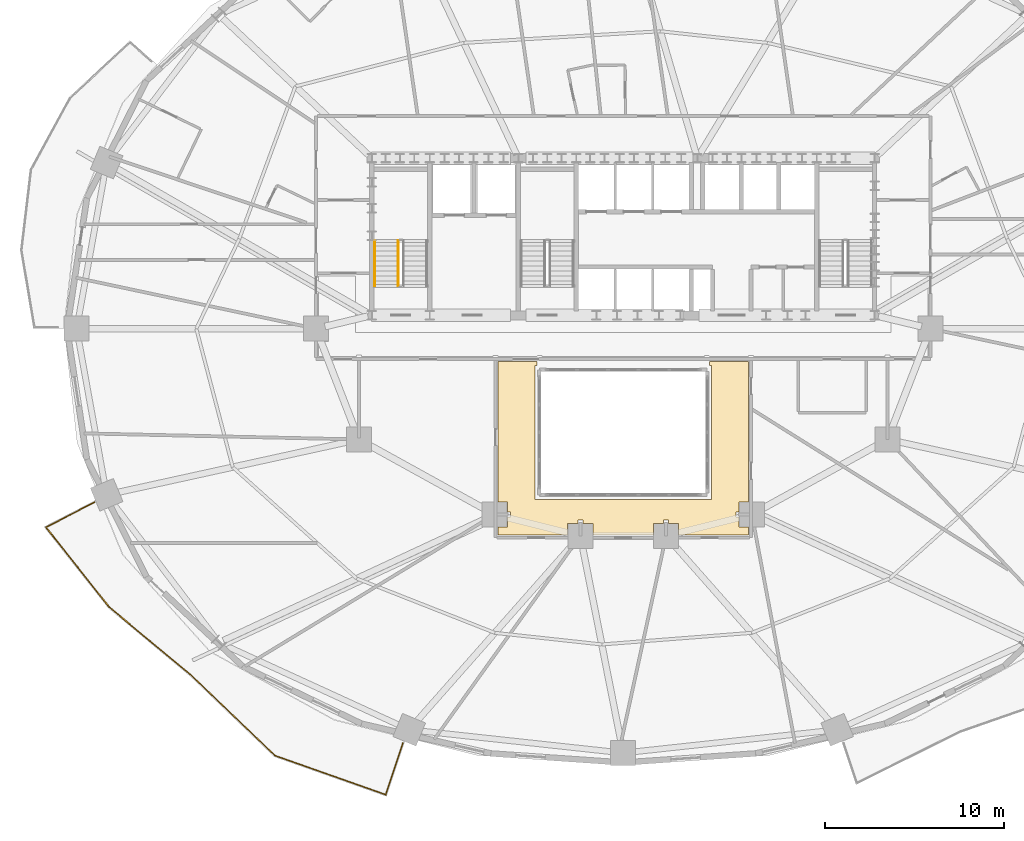
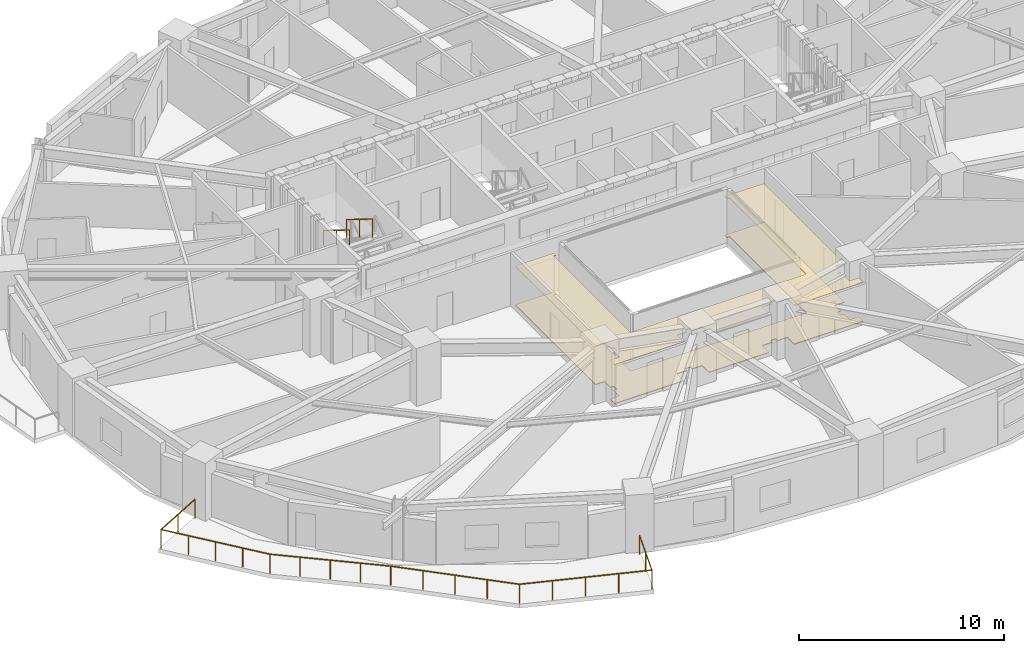
# One storey, part 14 of 17: 3 railings, 2 coverings.
"""IFC4 building model written with IfcOpenShell, lengths in metres."""

import ifcopenshell
import ifcopenshell.guid

model = None  # the IFC model being written
_history = None  # IfcOwnerHistory: only IFC2X3 demands one
_inside = {}  # id of a spatial element -> (the spatial element, [elements in it])
_under = {}  # id of a project, library or spatial element -> (it, [spatial elements below it])
_declared = {}  # id of a project -> (the project, [libraries it declares])
_typed = {}  # id of a type object -> (the type object, [elements of that type])
_made_of = {}  # id of a material, layer set ... -> (it, [elements and type objects made of it])


def new_model(schema):
    """Start an empty IFC model of exactly this schema.

    Asked for "IFC4X3", IfcOpenShell would pick the latest addendum, in which some entities
    have other attributes; the version numbers below select the first issue.
    IFC2X3 requires an IfcOwnerHistory on every rooted entity: one is made here for all.
    """
    global model, _history
    if schema == "IFC4X3":
        model = ifcopenshell.file(schema_version=(4, 3, 0, 0))
    else:
        model = ifcopenshell.file(schema=schema)
    _inside.clear()
    _under.clear()
    _declared.clear()
    _typed.clear()
    _made_of.clear()
    _history = None
    if model.schema == "IFC2X3":
        org = make("IfcOrganization", Name="unknown")
        user = make(
            "IfcPersonAndOrganization",
            ThePerson=make("IfcPerson", FamilyName="unknown"),
            TheOrganization=org,
        )
        app = make(
            "IfcApplication",
            ApplicationDeveloper=org,
            Version="unknown",
            ApplicationFullName="unknown",
            ApplicationIdentifier="unknown",
        )
        _history = make(
            "IfcOwnerHistory",
            OwningUser=user,
            OwningApplication=app,
            ChangeAction="ADDED",
            CreationDate=0,
        )
    return model


def make(cls, **values):
    """One entity of the class cls with the attributes given. An attribute that is None is left unset."""
    return model.create_entity(
        cls, **{name: value for name, value in values.items() if value is not None}
    )


def rooted(cls, **values):
    """An entity with a GlobalId (a new one), such as an element, a storey or a relation."""
    return make(cls, GlobalId=ifcopenshell.guid.new(), OwnerHistory=_history, **values)


def si_unit(unit_type, name, prefix=None):
    """IfcSIUnit, for example si_unit("LENGTHUNIT", "METRE", prefix="MILLI")."""
    return make("IfcSIUnit", UnitType=unit_type, Prefix=prefix, Name=name)


def assignment(units):
    """IfcUnitAssignment: the units of a project."""
    return None if units is None else make("IfcUnitAssignment", Units=units)


def point(xyz):
    """IfcCartesianPoint."""
    return None if xyz is None else make("IfcCartesianPoint", Coordinates=xyz)


def direction(xyz):
    """IfcDirection."""
    return None if xyz is None else make("IfcDirection", DirectionRatios=xyz)


def frame(location, z_axis=None, x_axis=None):
    """IfcAxis2Placement3D, a coordinate frame: its origin and axes. An axis left out is left unset."""
    return make(
        "IfcAxis2Placement3D",
        Location=point(location),
        Axis=direction(z_axis),
        RefDirection=direction(x_axis),
    )


def frame_2d(location, x_axis=None):
    """IfcAxis2Placement2D, a coordinate frame in the plane: its origin and x axis."""
    return make(
        "IfcAxis2Placement2D", Location=point(location), RefDirection=direction(x_axis)
    )


def origin():
    """The frame at (0, 0, 0) with its axes left unset."""
    return frame((0.0, 0.0, 0.0))


def origin_2d():
    """The frame at (0, 0) in the plane with its x axis left unset."""
    return frame_2d((0.0, 0.0))


def place(relative_to, where):
    """IfcLocalPlacement: puts the frame where relative to a parent placement (None: the world)."""
    return make(
        "IfcLocalPlacement", PlacementRelTo=relative_to, RelativePlacement=where
    )


def context(
    kind, dimensions, precision=None, world=None, true_north=None, identifier=None
):
    """IfcGeometricRepresentationContext, for example the 3D "Model" context."""
    return make(
        "IfcGeometricRepresentationContext",
        ContextIdentifier=identifier,
        ContextType=kind,
        CoordinateSpaceDimension=dimensions,
        Precision=precision,
        WorldCoordinateSystem=world,
        TrueNorth=true_north,
    )


def subcontext(parent, identifier, kind, view, scale=None):
    """IfcGeometricRepresentationSubContext, for example "Body" below "Model"."""
    return make(
        "IfcGeometricRepresentationSubContext",
        ContextIdentifier=identifier,
        ContextType=kind,
        ParentContext=parent,
        TargetScale=scale,
        TargetView=view,
    )


def project(units=None, contexts=None):
    """IfcProject with its units and contexts."""
    return rooted(
        "IfcProject",
        Name="project",
        RepresentationContexts=contexts,
        UnitsInContext=assignment(units),
    )


def spatial(cls, under=None, at=None, **own):
    """A site, building, storey or space (cls), placed at a placement, below another one or the project."""
    s = rooted(cls, ObjectPlacement=at, **own)
    if under is not None:
        _under.setdefault(under.id(), (under, []))[1].append(s)
    return s


def polyline(points):
    """IfcPolyline through the points."""
    return make("IfcPolyline", Points=[point(p) for p in points])


def profile(cls, at=None, kind="AREA", **sizes):
    """A parametric profile (cls). Its sizes go by their IFC names, for example OverallWidth=200.0."""
    return make(cls, ProfileType=kind, Position=at, **sizes)


def rectangle(**sizes):
    """IfcRectangleProfileDef."""
    return profile("IfcRectangleProfileDef", **sizes)


def outline(outer, holes=None, kind="AREA"):
    """IfcArbitraryClosedProfileDef: a profile drawn as a closed curve; with holes, ...WithVoids."""
    if holes is None:
        return make("IfcArbitraryClosedProfileDef", ProfileType=kind, OuterCurve=outer)
    return make(
        "IfcArbitraryProfileDefWithVoids",
        ProfileType=kind,
        OuterCurve=outer,
        InnerCurves=holes,
    )


def extrude(swept, where, along, depth):
    """IfcExtrudedAreaSolid: the profile swept, set in the frame where, extruded along a direction by depth."""
    return make(
        "IfcExtrudedAreaSolid",
        SweptArea=swept,
        Position=where,
        ExtrudedDirection=direction(along),
        Depth=depth,
    )


def shape(context_of_items, identifier, shape_type, items):
    """IfcShapeRepresentation: the items that make up one representation, for example the "Body"."""
    return make(
        "IfcShapeRepresentation",
        ContextOfItems=context_of_items,
        RepresentationIdentifier=identifier,
        RepresentationType=shape_type,
        Items=items,
    )


def material(Name=None, Category=None):
    """IfcMaterial."""
    return make("IfcMaterial", Name=Name, Category=Category)


def layer(
    of_material, thickness, ventilated=None, Name=None, Category=None, Priority=None
):
    """IfcMaterialLayer: one layer of a wall or slab, of a material (None: an air gap)."""
    return make(
        "IfcMaterialLayer",
        Material=of_material,
        LayerThickness=thickness,
        IsVentilated=ventilated,
        Name=Name,
        Category=Category,
        Priority=Priority,
    )


def layer_set(layers, Name=None):
    """IfcMaterialLayerSet."""
    return make("IfcMaterialLayerSet", MaterialLayers=layers, LayerSetName=Name)


def made_of(thing, what):
    """Note that an element or type object is made of a material, layer set ...; save() writes the relation."""
    if what is not None:
        _made_of.setdefault(what.id(), (what, []))[1].append(thing)
    return thing


def type_object(cls, material=None, **own):
    """A type object (cls), such as IfcWallType, which elements share."""
    return made_of(rooted(cls, **own), material)


def element(
    cls,
    number,
    at=None,
    inside=None,
    cuts=None,
    type_object=None,
    material=None,
    context=None,
    identifier="Body",
    shape_type=None,
    held_by="IfcProductDefinitionShape",
    body=None,
    shapes=None,
    **own,
):
    """One element of the class cls, such as IfcWall. Its Tag is "e" and its number.

    at: its placement. inside: the storey or other place that contains it. cuts: it is an
    opening in that element (IfcRelVoidsElement). A single representation is given by context,
    identifier, shape_type and body (its items); several are given by shapes. held_by: the class
    of the entity that holds the representations. save() writes the other relations.
    """
    e = rooted(cls, Tag="e%d" % number, ObjectPlacement=at, **own)
    if body is not None:
        shapes = [shape(context, identifier, shape_type, body)]
    if shapes is not None:
        e.Representation = make(held_by, Representations=shapes)
    if inside is not None:
        _inside.setdefault(inside.id(), (inside, []))[1].append(e)
    if cuts is not None:
        rooted(
            "IfcRelVoidsElement", RelatingBuildingElement=cuts, RelatedOpeningElement=e
        )
    if type_object is not None:
        _typed.setdefault(type_object.id(), (type_object, []))[1].append(e)
    return made_of(e, material)


def aggregate(whole, parts):
    """IfcRelAggregates: a whole, such as a stair, and the parts it consists of."""
    return rooted("IfcRelAggregates", RelatingObject=whole, RelatedObjects=parts)


def save(model, path):
    """Write the relations noted so far, then the file.

    IfcRelAggregates (storeys below a building ...), IfcRelContainedInSpatialStructure (elements
    in a storey), IfcRelDefinesByType, IfcRelAssociatesMaterial and IfcRelDeclares: one each for
    every whole, place, type object, material and project.
    """
    for whole, parts in _under.values():
        aggregate(whole, parts)
    for where, things in _inside.values():
        rooted(
            "IfcRelContainedInSpatialStructure",
            RelatedElements=things,
            RelatingStructure=where,
        )
    for kind, things in _typed.values():
        rooted("IfcRelDefinesByType", RelatedObjects=things, RelatingType=kind)
    for what, things in _made_of.values():
        rooted("IfcRelAssociatesMaterial", RelatedObjects=things, RelatingMaterial=what)
    for by, libraries in _declared.values():
        rooted("IfcRelDeclares", RelatingContext=by, RelatedDefinitions=libraries)
    model.write(path)


model = new_model("IFC4")

# Units and contexts
model_context = context("Model", 3, precision=1e-05, world=origin(), true_north=direction((0.0, 1.0)))
body_context = subcontext(model_context, "Body", "Model", "MODEL_VIEW")
ifc_project = project(units=[si_unit("LENGTHUNIT", "METRE"), si_unit("AREAUNIT", "SQUARE_METRE"), si_unit("VOLUMEUNIT", "CUBIC_METRE"), si_unit("PLANEANGLEUNIT", "RADIAN"), si_unit("MASSUNIT", "GRAM", prefix="KILO")], contexts=[model_context])

# Site, building, storey
site_placement = place(None, origin())
site = spatial("IfcSite", under=ifc_project, at=site_placement, CompositionType="ELEMENT")
building_placement = place(site_placement, origin())
building = spatial("IfcBuilding", under=site, at=building_placement, Name="Haldorwick Loom Tower", CompositionType="ELEMENT")
storey_placement = place(building_placement, frame((0.0, 0.0, 27.449951171875)))
storey = spatial("IfcBuildingStorey", under=building, at=storey_placement, Name="L06", CompositionType="ELEMENT", Elevation=27.449951171875)

# Coverings
ifc_material_1 = material(Name="Mineral Fibre Acoustic Ceiling Tile")
ifc_layer_1 = layer(ifc_material_1, 0.054931640625, Name="Mineral Fibre Acoustic Ceiling Tile")
ifc_layer_set_1 = layer_set([ifc_layer_1], Name="Mineral Fibre Acoustic Ceiling Tile")
covering_type_1 = type_object("IfcCoveringType", Name="ARC-COV-CEIL2", PredefinedType="CEILING", material=ifc_layer_set_1)
covering_1_placement = place(storey_placement, frame((0.0, 0.0, 2.302001953125)))
element("IfcCovering", 1, at=covering_1_placement, inside=storey, type_object=covering_type_1, Name="L06 Acoustic Suspended Ceiling 1", PredefinedType="CEILING", context=body_context, shape_type="SweptSolid", body=[
    extrude(outline(polyline([(37.69189453125, 14.44091796875), (37.69189453125, 15.10791015625), (38.260009765625, 15.10791015625), (38.260009765625, 15.27001953125), (38.260009765625, 15.27197265625), (38.260498046875, 15.27392578125), (38.260986328125, 15.27587890625), (38.261474609375, 15.277587890625), (38.262451171875, 15.279296875), (38.263427734375, 15.281005859375), (38.264404296875, 15.28271484375), (38.265869140625, 15.2841796875), (38.267333984375, 15.285400390625), (38.268798828125, 15.28662109375), (38.2705078125, 15.28759765625), (38.272216796875, 15.28857421875), (38.274169921875, 15.2890625), (38.276123046875, 15.28955078125), (38.278076171875, 15.289794921875), (38.280029296875, 15.2900390625), (38.52001953125, 15.2900390625), (38.52197265625, 15.289794921875), (38.52392578125, 15.28955078125), (38.52587890625, 15.2890625), (38.527587890625, 15.28857421875), (38.529296875, 15.28759765625), (38.531005859375, 15.28662109375), (38.53271484375, 15.285400390625), (38.5341796875, 15.2841796875), (38.535400390625, 15.28271484375), (38.53662109375, 15.281005859375), (38.53759765625, 15.279296875), (38.53857421875, 15.277587890625), (38.5390625, 15.27587890625), (38.53955078125, 15.27392578125), (38.539794921875, 15.27197265625), (38.5400390625, 15.27001953125), (38.5400390625, 15.10791015625), (39.10791015625, 15.10791015625), (39.10791015625, 14.43994140625), (43.010009765625, 14.43994140625), (43.010009765625, 14.89208984375), (42.491943359375, 14.89208984375), (42.491943359375, 15.4599609375), (42.330078125, 15.4599609375), (42.327880859375, 15.460205078125), (42.326171875, 15.46044921875), (42.32421875, 15.4609375), (42.322265625, 15.46142578125), (42.320556640625, 15.46240234375), (42.31884765625, 15.46337890625), (42.3173828125, 15.464599609375), (42.31591796875, 15.4658203125), (42.314453125, 15.46728515625), (42.3134765625, 15.468994140625), (42.3125, 15.470703125), (42.3115234375, 15.472412109375), (42.310791015625, 15.47412109375), (42.310302734375, 15.47607421875), (42.31005859375, 15.47802734375), (42.31005859375, 15.47998046875), (42.31005859375, 15.719970703125), (42.31005859375, 15.721923828125), (42.310302734375, 15.723876953125), (42.310791015625, 15.725830078125), (42.3115234375, 15.727783203125), (42.3125, 15.7294921875), (42.3134765625, 15.731201171875), (42.314453125, 15.732666015625), (42.31591796875, 15.734130859375), (42.3173828125, 15.735595703125), (42.31884765625, 15.736572265625), (42.320556640625, 15.737548828125), (42.322265625, 15.738525390625), (42.32421875, 15.739013671875), (42.326171875, 15.739501953125), (42.327880859375, 15.739990234375), (42.330078125, 15.739990234375), (42.491943359375, 15.739990234375), (42.491943359375, 16.30810546875), (43.010009765625, 16.30810546875), (43.010009765625, 24.159912109375), (40.820068359375, 24.159912109375), (40.820068359375, 23.949951171875), (40.949951171875, 23.949951171875), (40.949951171875, 16.449951171875), (31.050048828125, 16.449951171875), (31.050048828125, 23.949951171875), (31.179931640625, 23.949951171875), (31.179931640625, 24.159912109375), (28.989990234375, 24.159912109375), (28.989990234375, 16.30810546875), (29.508056640625, 16.30810546875), (29.508056640625, 15.739990234375), (29.669921875, 15.739990234375), (29.672119140625, 15.739990234375), (29.673828125, 15.739501953125), (29.67578125, 15.739013671875), (29.677734375, 15.738525390625), (29.679443359375, 15.737548828125), (29.68115234375, 15.736572265625), (29.6826171875, 15.735595703125), (29.68408203125, 15.734130859375), (29.685546875, 15.732666015625), (29.6865234375, 15.731201171875), (29.6875, 15.7294921875), (29.6884765625, 15.727783203125), (29.689208984375, 15.725830078125), (29.689697265625, 15.723876953125), (29.68994140625, 15.721923828125), (29.68994140625, 15.719970703125), (29.68994140625, 15.47998046875), (29.68994140625, 15.47802734375), (29.689697265625, 15.47607421875), (29.689208984375, 15.47412109375), (29.6884765625, 15.472412109375), (29.6875, 15.470703125), (29.6865234375, 15.468994140625), (29.685546875, 15.46728515625), (29.68408203125, 15.4658203125), (29.6826171875, 15.464599609375), (29.68115234375, 15.46337890625), (29.679443359375, 15.46240234375), (29.677734375, 15.46142578125), (29.67578125, 15.4609375), (29.673828125, 15.46044921875), (29.672119140625, 15.460205078125), (29.669921875, 15.4599609375), (29.508056640625, 15.4599609375), (29.508056640625, 14.89208984375), (28.989990234375, 14.89208984375), (28.989990234375, 14.43994140625), (32.89208984375, 14.43994140625), (32.89208984375, 15.10791015625), (33.45751953125, 15.10791015625), (33.4599609375, 15.270263671875), (33.460205078125, 15.272216796875), (33.46044921875, 15.274169921875), (33.4609375, 15.276123046875), (33.461669921875, 15.27783203125), (33.46240234375, 15.279541015625), (33.46337890625, 15.28125), (33.464599609375, 15.28271484375), (33.466064453125, 15.2841796875), (33.46728515625, 15.285400390625), (33.468994140625, 15.28662109375), (33.470703125, 15.28759765625), (33.472412109375, 15.28857421875), (33.474365234375, 15.289306640625), (33.47607421875, 15.28955078125), (33.47802734375, 15.289794921875), (33.47998046875, 15.2900390625), (33.719970703125, 15.2900390625), (33.721923828125, 15.289794921875), (33.723876953125, 15.28955078125), (33.725830078125, 15.2890625), (33.727783203125, 15.28857421875), (33.7294921875, 15.28759765625), (33.731201171875, 15.28662109375), (33.732666015625, 15.285400390625), (33.734130859375, 15.2841796875), (33.735595703125, 15.28271484375), (33.736572265625, 15.281005859375), (33.737548828125, 15.279296875), (33.738525390625, 15.277587890625), (33.739013671875, 15.27587890625), (33.739501953125, 15.27392578125), (33.739990234375, 15.27197265625), (33.739990234375, 15.27001953125), (33.739990234375, 15.10791015625), (34.30810546875, 15.10791015625), (34.30810546875, 14.446533203125), (37.69189453125, 14.44091796875)])), origin(), (0.0, 0.0, 1.0), 0.054931640625),
])
ifc_material_2 = material(Name="Polished Aggregate Terrazzo Finish")
ifc_layer_2 = layer(ifc_material_2, 0.044921875, Name="Polished Aggregate Terrazzo Finish")
ifc_layer_set_2 = layer_set([ifc_layer_2], Name="Polished Aggregate Terrazzo Finish")
covering_type_2 = type_object("IfcCoveringType", Name="ARC-COV-FLOOR2", PredefinedType="FLOORING", material=ifc_layer_set_2)
covering_2_placement = place(storey_placement, origin())
element("IfcCovering", 2, at=covering_2_placement, inside=storey, type_object=covering_type_2, Name="L06 Floor Finish 1", PredefinedType="FLOORING", context=body_context, shape_type="SweptSolid", body=[
    extrude(outline(polyline([(37.69189453125, 14.44091796875), (37.69189453125, 15.10791015625), (38.260009765625, 15.10791015625), (38.260009765625, 15.27001953125), (38.260009765625, 15.27197265625), (38.260498046875, 15.27392578125), (38.260986328125, 15.27587890625), (38.261474609375, 15.277587890625), (38.262451171875, 15.279296875), (38.263427734375, 15.281005859375), (38.264404296875, 15.28271484375), (38.265869140625, 15.2841796875), (38.267333984375, 15.285400390625), (38.268798828125, 15.28662109375), (38.2705078125, 15.28759765625), (38.272216796875, 15.28857421875), (38.274169921875, 15.2890625), (38.276123046875, 15.28955078125), (38.278076171875, 15.289794921875), (38.280029296875, 15.2900390625), (38.52001953125, 15.2900390625), (38.52197265625, 15.289794921875), (38.52392578125, 15.28955078125), (38.52587890625, 15.2890625), (38.527587890625, 15.28857421875), (38.529296875, 15.28759765625), (38.531005859375, 15.28662109375), (38.53271484375, 15.285400390625), (38.5341796875, 15.2841796875), (38.535400390625, 15.28271484375), (38.53662109375, 15.281005859375), (38.53759765625, 15.279296875), (38.53857421875, 15.277587890625), (38.5390625, 15.27587890625), (38.53955078125, 15.27392578125), (38.539794921875, 15.27197265625), (38.5400390625, 15.27001953125), (38.5400390625, 15.10791015625), (39.10791015625, 15.10791015625), (39.10791015625, 14.43994140625), (43.010009765625, 14.43994140625), (43.010009765625, 14.89208984375), (42.491943359375, 14.89208984375), (42.491943359375, 15.4599609375), (42.330078125, 15.4599609375), (42.327880859375, 15.460205078125), (42.326171875, 15.46044921875), (42.32421875, 15.4609375), (42.322265625, 15.46142578125), (42.320556640625, 15.46240234375), (42.31884765625, 15.46337890625), (42.3173828125, 15.464599609375), (42.31591796875, 15.4658203125), (42.314453125, 15.46728515625), (42.3134765625, 15.468994140625), (42.3125, 15.470703125), (42.3115234375, 15.472412109375), (42.310791015625, 15.47412109375), (42.310302734375, 15.47607421875), (42.31005859375, 15.47802734375), (42.31005859375, 15.47998046875), (42.31005859375, 15.719970703125), (42.31005859375, 15.721923828125), (42.310302734375, 15.723876953125), (42.310791015625, 15.725830078125), (42.3115234375, 15.727783203125), (42.3125, 15.7294921875), (42.3134765625, 15.731201171875), (42.314453125, 15.732666015625), (42.31591796875, 15.734130859375), (42.3173828125, 15.735595703125), (42.31884765625, 15.736572265625), (42.320556640625, 15.737548828125), (42.322265625, 15.738525390625), (42.32421875, 15.739013671875), (42.326171875, 15.739501953125), (42.327880859375, 15.739990234375), (42.330078125, 15.739990234375), (42.491943359375, 15.739990234375), (42.491943359375, 16.30810546875), (43.010009765625, 16.30810546875), (43.010009765625, 24.159912109375), (40.820068359375, 24.159912109375), (40.820068359375, 23.949951171875), (40.949951171875, 23.949951171875), (40.949951171875, 16.449951171875), (31.050048828125, 16.449951171875), (31.050048828125, 23.949951171875), (31.179931640625, 23.949951171875), (31.179931640625, 24.159912109375), (28.989990234375, 24.159912109375), (28.989990234375, 16.30810546875), (29.508056640625, 16.30810546875), (29.508056640625, 15.739990234375), (29.669921875, 15.739990234375), (29.672119140625, 15.739990234375), (29.673828125, 15.739501953125), (29.67578125, 15.739013671875), (29.677734375, 15.738525390625), (29.679443359375, 15.737548828125), (29.68115234375, 15.736572265625), (29.6826171875, 15.735595703125), (29.68408203125, 15.734130859375), (29.685546875, 15.732666015625), (29.6865234375, 15.731201171875), (29.6875, 15.7294921875), (29.6884765625, 15.727783203125), (29.689208984375, 15.725830078125), (29.689697265625, 15.723876953125), (29.68994140625, 15.721923828125), (29.68994140625, 15.719970703125), (29.68994140625, 15.47998046875), (29.68994140625, 15.47802734375), (29.689697265625, 15.47607421875), (29.689208984375, 15.47412109375), (29.6884765625, 15.472412109375), (29.6875, 15.470703125), (29.6865234375, 15.468994140625), (29.685546875, 15.46728515625), (29.68408203125, 15.4658203125), (29.6826171875, 15.464599609375), (29.68115234375, 15.46337890625), (29.679443359375, 15.46240234375), (29.677734375, 15.46142578125), (29.67578125, 15.4609375), (29.673828125, 15.46044921875), (29.672119140625, 15.460205078125), (29.669921875, 15.4599609375), (29.508056640625, 15.4599609375), (29.508056640625, 14.89208984375), (28.989990234375, 14.89208984375), (28.989990234375, 14.43994140625), (32.89208984375, 14.43994140625), (32.89208984375, 15.10791015625), (33.45751953125, 15.10791015625), (33.4599609375, 15.270263671875), (33.460205078125, 15.272216796875), (33.46044921875, 15.274169921875), (33.4609375, 15.276123046875), (33.461669921875, 15.27783203125), (33.46240234375, 15.279541015625), (33.46337890625, 15.28125), (33.464599609375, 15.28271484375), (33.466064453125, 15.2841796875), (33.46728515625, 15.285400390625), (33.468994140625, 15.28662109375), (33.470703125, 15.28759765625), (33.472412109375, 15.28857421875), (33.474365234375, 15.289306640625), (33.47607421875, 15.28955078125), (33.47802734375, 15.289794921875), (33.47998046875, 15.2900390625), (33.719970703125, 15.2900390625), (33.721923828125, 15.289794921875), (33.723876953125, 15.28955078125), (33.725830078125, 15.2890625), (33.727783203125, 15.28857421875), (33.7294921875, 15.28759765625), (33.731201171875, 15.28662109375), (33.732666015625, 15.285400390625), (33.734130859375, 15.2841796875), (33.735595703125, 15.28271484375), (33.736572265625, 15.281005859375), (33.737548828125, 15.279296875), (33.738525390625, 15.277587890625), (33.739013671875, 15.27587890625), (33.739501953125, 15.27392578125), (33.739990234375, 15.27197265625), (33.739990234375, 15.27001953125), (33.739990234375, 15.10791015625), (34.30810546875, 15.10791015625), (34.30810546875, 14.446533203125), (37.69189453125, 14.44091796875)])), origin(), (0.0, 0.0, 1.0), 0.045166015625),
])

# Railings
ifc_material_3 = material(Name="Galvanized Steel CSA G40.21 350W", Category="steel")
railing_type_1 = type_object("IfcRailingType", Name="ARC-RLG-BAL115", PredefinedType="BALUSTRADE", material=ifc_material_3)
railing_1_placement = place(storey_placement, frame((23.663818359375, 2.791748046875, 0.0)))
element("IfcRailing", 3, at=railing_1_placement, inside=storey, type_object=railing_type_1, Name="L06 Outdoor Terrace Guardrail SLB-L06-BAL_SW-1", PredefinedType="BALUSTRADE", context=body_context, shape_type="SweptSolid", body=[
    extrude(rectangle(XDim=0.048095703125, YDim=0.048095703125, at=origin_2d()), frame((0.0, 0.0, 1.1259765625), z_axis=(-0.316517691118, -0.948586607121, 0.0), x_axis=(0.948586607121, -0.316517691118, 0.0)), (0.0, 0.0, 1.0), 3.03125),
    extrude(rectangle(XDim=0.048095703125, YDim=0.048095703125, at=origin_2d()), frame((-0.95947265625, -2.87548828125, 1.1259765625), z_axis=(-0.942979374633, 0.332851166465, 0.0), x_axis=(-0.332851166465, -0.942979374633, 0.0)), (0.0, 0.0, 1.0), 6.580810546875),
    extrude(rectangle(XDim=0.048095703125, YDim=0.048095703125, at=origin_2d()), frame((-7.1650390625, -0.68505859375, 1.1259765625), z_axis=(-0.721452184694, 0.69246425554, 0.0), x_axis=(-0.69246425554, -0.721452184694, 0.0)), (0.0, 0.0, 1.0), 6.46826171875),
    extrude(rectangle(XDim=0.048095703125, YDim=0.048095703125, at=origin_2d()), frame((-11.83154296875, 3.7939453125, 1.1259765625), z_axis=(-0.768221279597, 0.640184399664, 0.0), x_axis=(-0.640184399664, -0.768221279597, 0.0)), (0.0, 0.0, 1.0), 0.005615234375),
    extrude(rectangle(XDim=0.048095703125, YDim=0.048095703125, at=origin_2d()), frame((-11.8359375, 3.797607421875, 1.1259765625), z_axis=(-0.768920852016, 0.639343978883, 0.0), x_axis=(-0.639343978883, -0.768920852016, 0.0)), (0.0, 0.0, 1.0), 5.974609375),
    extrude(rectangle(XDim=0.048095703125, YDim=0.048095703125, at=origin_2d()), frame((-16.429931640625, 7.617431640625, 1.1259765625), z_axis=(-0.621111371272, 0.783722313372, 0.0), x_axis=(-0.783722313372, -0.621111371272, 0.0)), (0.0, 0.0, 1.0), 5.709716796875),
    extrude(rectangle(XDim=0.048095703125, YDim=0.048095703125, at=origin_2d()), frame((-19.976318359375, 12.09228515625, 1.1259765625), z_axis=(0.888545143405, 0.458789197923, 0.0), x_axis=(-0.458789197923, 0.888545143405, 0.0)), (0.0, 0.0, 1.0), 3.060791015625),
    extrude(rectangle(XDim=0.0419921875, YDim=0.0419921875, at=origin_2d()), origin(), (0.0, 0.0, 1.0), 1.101806640625),
    extrude(rectangle(XDim=0.0419921875, YDim=0.0419921875, at=origin_2d()), frame((-0.479736328125, -1.437744140625, 0.0)), (0.0, 0.0, 1.0), 1.101806640625),
    extrude(rectangle(XDim=0.0419921875, YDim=0.0419921875, at=origin_2d()), frame((-0.95947265625, -2.87548828125, 0.0)), (0.0, 0.0, 1.0), 1.101806640625),
    extrude(rectangle(XDim=0.0419921875, YDim=0.0419921875, at=origin_2d()), frame((-2.5107421875, -2.327880859375, 0.0)), (0.0, 0.0, 1.0), 1.101806640625),
    extrude(rectangle(XDim=0.0419921875, YDim=0.0419921875, at=origin_2d()), frame((-4.062255859375, -1.7802734375, 0.0)), (0.0, 0.0, 1.0), 1.101806640625),
    extrude(rectangle(XDim=0.0419921875, YDim=0.0419921875, at=origin_2d()), frame((-5.61376953125, -1.232666015625, 0.0)), (0.0, 0.0, 1.0), 1.101806640625),
    extrude(rectangle(XDim=0.0419921875, YDim=0.0419921875, at=origin_2d()), frame((-7.1650390625, -0.68505859375, 0.0)), (0.0, 0.0, 1.0), 1.101806640625),
    extrude(rectangle(XDim=0.0419921875, YDim=0.0419921875, at=origin_2d()), frame((-8.33154296875, 0.4345703125, 0.0)), (0.0, 0.0, 1.0), 1.101806640625),
    extrude(rectangle(XDim=0.0419921875, YDim=0.0419921875, at=origin_2d()), frame((-9.498291015625, 1.554443359375, 0.0)), (0.0, 0.0, 1.0), 1.101806640625),
    extrude(rectangle(XDim=0.0419921875, YDim=0.0419921875, at=origin_2d()), frame((-10.6650390625, 2.67431640625, 0.0)), (0.0, 0.0, 1.0), 1.101806640625),
    extrude(rectangle(XDim=0.0419921875, YDim=0.0419921875, at=origin_2d()), frame((-11.83154296875, 3.7939453125, 0.0)), (0.0, 0.0, 1.0), 1.101806640625),
    extrude(rectangle(XDim=0.0419921875, YDim=0.0419921875, at=origin_2d()), frame((-12.984375, 4.75244140625, 0.0)), (0.0, 0.0, 1.0), 1.101806640625),
    extrude(rectangle(XDim=0.0419921875, YDim=0.0419921875, at=origin_2d()), frame((-14.1328125, 5.70751953125, 0.0)), (0.0, 0.0, 1.0), 1.101806640625),
    extrude(rectangle(XDim=0.0419921875, YDim=0.0419921875, at=origin_2d()), frame((-15.281494140625, 6.66259765625, 0.0)), (0.0, 0.0, 1.0), 1.101806640625),
    extrude(rectangle(XDim=0.0419921875, YDim=0.0419921875, at=origin_2d()), frame((-16.429931640625, 7.617431640625, 0.0)), (0.0, 0.0, 1.0), 1.101806640625),
    extrude(rectangle(XDim=0.0419921875, YDim=0.0419921875, at=origin_2d()), frame((-17.31640625, 8.736083984375, 0.0)), (0.0, 0.0, 1.0), 1.101806640625),
    extrude(rectangle(XDim=0.0419921875, YDim=0.0419921875, at=origin_2d()), frame((-18.203125, 9.85498046875, 0.0)), (0.0, 0.0, 1.0), 1.101806640625),
    extrude(rectangle(XDim=0.0419921875, YDim=0.0419921875, at=origin_2d()), frame((-19.08984375, 10.9736328125, 0.0)), (0.0, 0.0, 1.0), 1.101806640625),
    extrude(rectangle(XDim=0.0419921875, YDim=0.0419921875, at=origin_2d()), frame((-19.976318359375, 12.09228515625, 0.0)), (0.0, 0.0, 1.0), 1.101806640625),
    extrude(rectangle(XDim=0.0419921875, YDim=0.0419921875, at=origin_2d()), frame((-18.616455078125, 12.79443359375, 0.0)), (0.0, 0.0, 1.0), 1.101806640625),
    extrude(rectangle(XDim=0.0419921875, YDim=0.0419921875, at=origin_2d()), frame((-17.256591796875, 13.49658203125, 0.0)), (0.0, 0.0, 1.0), 1.101806640625),
])
ifc_material_4 = material(Name="Steel CSA G40.21 350W", Category="steel")
railing_type_2 = type_object("IfcRailingType", Name="ARC-RLG-GUARD112", PredefinedType="GUARDRAIL", material=ifc_material_4)
railing_2_placement = place(storey_placement, frame((23.39990234375, 30.919921875, 1.8974609375)))
element("IfcRailing", 4, at=railing_2_placement, inside=storey, type_object=railing_type_2, Name="L06 ST-01 stair guard 3", PredefinedType="GUARDRAIL", context=body_context, shape_type="SweptSolid", body=[
    extrude(rectangle(XDim=0.048095703125, YDim=0.048095703125, at=origin_2d()), frame((0.0, 0.0, 1.076171875), z_axis=(0.0, -0.851400495292, 0.524516154772), x_axis=(1.0, 0.0, 0.0)), (0.0, 0.0, 1.0), 2.9599609375),
    extrude(rectangle(XDim=0.0419921875, YDim=0.0419921875, at=origin_2d()), origin(), (0.0, 0.0, 1.0), 1.052001953125),
    extrude(rectangle(XDim=0.0419921875, YDim=0.0419921875, at=origin_2d()), frame((0.0, -1.260009765625, 0.7763671875)), (0.0, 0.0, 1.0), 1.052001953125),
    extrude(rectangle(XDim=0.0419921875, YDim=0.0419921875, at=origin_2d()), frame((0.0, -2.52001953125, 1.552490234375)), (0.0, 0.0, 1.0), 1.052001953125),
])
railing_type_3 = type_object("IfcRailingType", Name="ARC-RLG-HAND092", PredefinedType="HANDRAIL", material=ifc_material_4)
railing_3_placement = place(storey_placement, frame((22.10009765625, 30.919921875, 1.8974609375)))
element("IfcRailing", 5, at=railing_3_placement, inside=storey, type_object=railing_type_3, Name="L06 ST-01 stair handrail 2", PredefinedType="HANDRAIL", context=body_context, shape_type="SweptSolid", body=[
    extrude(rectangle(XDim=0.048095703125, YDim=0.048095703125, at=origin_2d()), frame((0.0, 0.0, 0.8759765625), z_axis=(0.0, -0.851400495292, 0.524516154772), x_axis=(1.0, 0.0, 0.0)), (0.0, 0.0, 1.0), 2.9599609375),
    extrude(rectangle(XDim=0.0419921875, YDim=0.0419921875, at=origin_2d()), origin(), (0.0, 0.0, 1.0), 0.851806640625),
    extrude(rectangle(XDim=0.0419921875, YDim=0.0419921875, at=origin_2d()), frame((0.0, -1.260009765625, 0.7763671875)), (0.0, 0.0, 1.0), 0.851806640625),
    extrude(rectangle(XDim=0.0419921875, YDim=0.0419921875, at=origin_2d()), frame((0.0, -2.52001953125, 1.552490234375)), (0.0, 0.0, 1.0), 0.851806640625),
])

save(model, "model.ifc")
